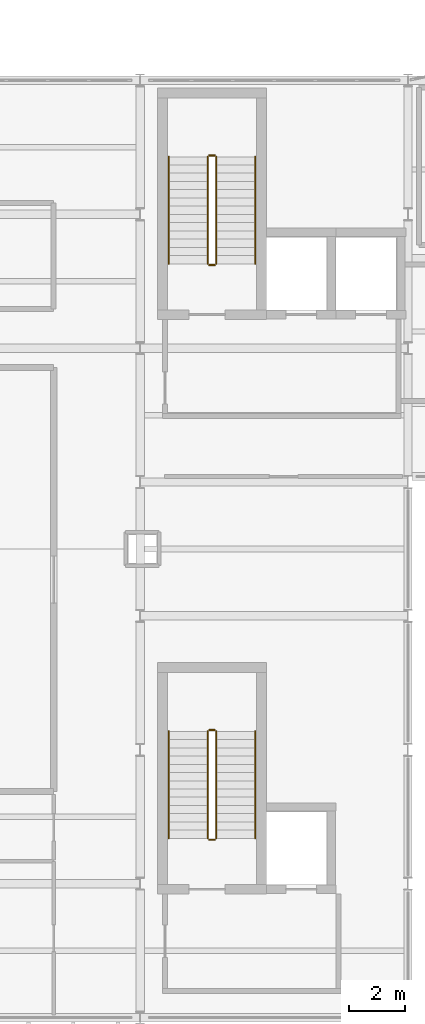
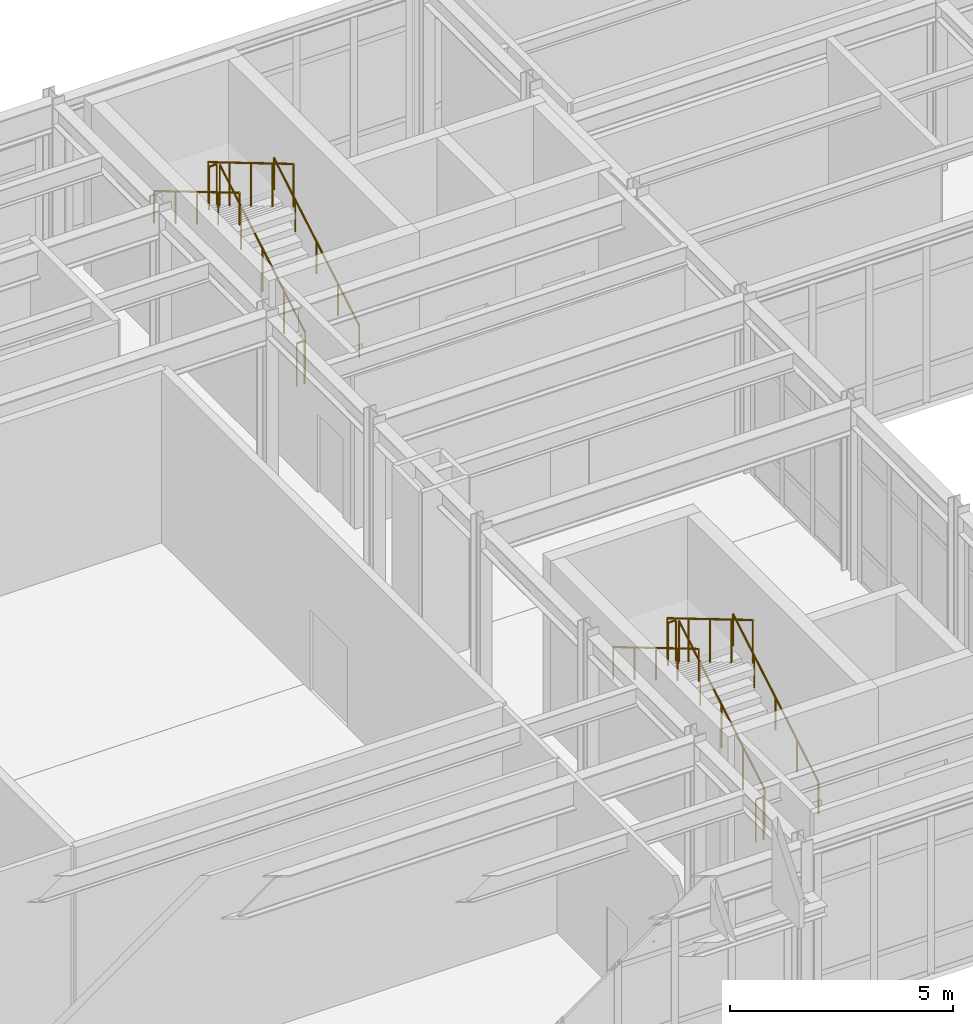
# One storey, part 27 of 28: 12 railings.
"""IFC4 building model written with IfcOpenShell, lengths in metres."""

from ifc_helpers import new_model, si_unit, direction, frame, origin, origin_2d, place, context, subcontext, project, spatial, circle, extrude, material, layer, layer_set, type_object, element, save


model = new_model("IFC4")

# Units and contexts
model_context = context("Model", 3, precision=1e-05, world=origin(), true_north=direction((0.0, 1.0)))
body_context = subcontext(model_context, "Body", "Model", "MODEL_VIEW")
ifc_project = project(units=[si_unit("LENGTHUNIT", "METRE"), si_unit("AREAUNIT", "SQUARE_METRE"), si_unit("VOLUMEUNIT", "CUBIC_METRE"), si_unit("PLANEANGLEUNIT", "RADIAN"), si_unit("MASSUNIT", "GRAM", prefix="KILO")], contexts=[model_context])

# Site, building, storey
site_placement = place(None, origin())
site = spatial("IfcSite", under=ifc_project, at=site_placement, CompositionType="ELEMENT")
building_placement = place(site_placement, origin())
building = spatial("IfcBuilding", under=site, at=building_placement, Name="Nordkorset Police Headquarters", CompositionType="ELEMENT")
storey_placement = place(building_placement, frame((0.0, 0.0, 26.25)))
storey = spatial("IfcBuildingStorey", under=building, at=storey_placement, Name="L06", CompositionType="ELEMENT", Elevation=26.25)

# Railings
ifc_material_1 = material(Name="Steel S355J2", Category="steel")
ifc_layer_1 = layer(ifc_material_1, 0.048095703125, Name="Steel S355J2")
ifc_layer_set_1 = layer_set([ifc_layer_1], Name="Steel S355J2")
railing_type_1 = type_object("IfcRailingType", Name="Railing_Handrail_900", PredefinedType="HANDRAIL", material=ifc_layer_set_1)
railing_1_placement = place(storey_placement, frame((23.324951171875, 110.22509765625, 0.175048828125)))
element("IfcRailing", 1, at=railing_1_placement, inside=storey, type_object=railing_type_1, Name="L06 ST-01 stair handrail 1", PredefinedType="HANDRAIL", context=body_context, shape_type="SweptSolid", body=[
    extrude(circle(Radius=0.02392578125, at=origin_2d()), frame((0.0, 0.0, 0.8759765625), z_axis=(0.0, 0.860061983675, 0.510189557161), x_axis=(-1.0, 0.0, 0.0)), (0.0, 0.0, 1.0), 4.458984375),
    extrude(circle(Radius=0.02099609375, at=origin_2d()), origin(), (0.0, 0.0, 1.0), 0.851806640625),
    extrude(circle(Radius=0.02099609375, at=origin_2d()), frame((0.0, 0.958740234375, 0.56884765625)), (0.0, 0.0, 1.0), 0.851806640625),
    extrude(circle(Radius=0.02099609375, at=origin_2d()), frame((0.0, 1.91748046875, 1.137451171875)), (0.0, 0.0, 1.0), 0.851806640625),
    extrude(circle(Radius=0.02099609375, at=origin_2d()), frame((0.0, 2.876220703125, 1.7060546875)), (0.0, 0.0, 1.0), 0.851806640625),
    extrude(circle(Radius=0.02099609375, at=origin_2d()), frame((0.0, 3.8349609375, 2.27490234375)), (0.0, 0.0, 1.0), 0.851806640625),
])
railing_2_placement = place(storey_placement, frame((20.22509765625, 114.06005859375, 2.625)))
element("IfcRailing", 2, at=railing_2_placement, inside=storey, type_object=railing_type_1, Name="L06 ST-01 stair handrail 2", PredefinedType="HANDRAIL", context=body_context, shape_type="SweptSolid", body=[
    extrude(circle(Radius=0.02392578125, at=origin_2d()), frame((0.0, 0.0, 0.8759765625), z_axis=(0.0, -0.860061983675, 0.510189557161), x_axis=(1.0, 0.0, 0.0)), (0.0, 0.0, 1.0), 4.458984375),
    extrude(circle(Radius=0.02099609375, at=origin_2d()), origin(), (0.0, 0.0, 1.0), 0.851806640625),
    extrude(circle(Radius=0.02099609375, at=origin_2d()), frame((0.0, -0.958740234375, 0.56884765625)), (0.0, 0.0, 1.0), 0.851806640625),
    extrude(circle(Radius=0.02099609375, at=origin_2d()), frame((0.0, -1.91748046875, 1.137451171875)), (0.0, 0.0, 1.0), 0.851806640625),
    extrude(circle(Radius=0.02099609375, at=origin_2d()), frame((0.0, -2.876220703125, 1.7060546875)), (0.0, 0.0, 1.0), 0.851806640625),
    extrude(circle(Radius=0.02099609375, at=origin_2d()), frame((0.0, -3.8349609375, 2.27490234375)), (0.0, 0.0, 1.0), 0.851806640625),
])
railing_3_placement = place(storey_placement, frame((23.324951171875, 89.625, 0.175048828125)))
element("IfcRailing", 3, at=railing_3_placement, inside=storey, type_object=railing_type_1, Name="L06 ST-03 stair handrail 1", PredefinedType="HANDRAIL", context=body_context, shape_type="SweptSolid", body=[
    extrude(circle(Radius=0.02392578125, at=origin_2d()), frame((0.0, 0.0, 0.8759765625), z_axis=(0.0, 0.860061983675, 0.510189557161), x_axis=(-1.0, 0.0, 0.0)), (0.0, 0.0, 1.0), 4.458984375),
    extrude(circle(Radius=0.02099609375, at=origin_2d()), origin(), (0.0, 0.0, 1.0), 0.851806640625),
    extrude(circle(Radius=0.02099609375, at=origin_2d()), frame((0.0, 0.958740234375, 0.56884765625)), (0.0, 0.0, 1.0), 0.851806640625),
    extrude(circle(Radius=0.02099609375, at=origin_2d()), frame((0.0, 1.91748046875, 1.137451171875)), (0.0, 0.0, 1.0), 0.851806640625),
    extrude(circle(Radius=0.02099609375, at=origin_2d()), frame((0.0, 2.876220703125, 1.7060546875)), (0.0, 0.0, 1.0), 0.851806640625),
    extrude(circle(Radius=0.02099609375, at=origin_2d()), frame((0.0, 3.8349609375, 2.27490234375)), (0.0, 0.0, 1.0), 0.851806640625),
])
railing_4_placement = place(storey_placement, frame((20.22509765625, 93.4599609375, 2.625)))
element("IfcRailing", 4, at=railing_4_placement, inside=storey, type_object=railing_type_1, Name="L06 ST-03 stair handrail 2", PredefinedType="HANDRAIL", context=body_context, shape_type="SweptSolid", body=[
    extrude(circle(Radius=0.02392578125, at=origin_2d()), frame((0.0, 0.0, 0.8759765625), z_axis=(0.0, -0.860061983675, 0.510189557161), x_axis=(1.0, 0.0, 0.0)), (0.0, 0.0, 1.0), 4.458984375),
    extrude(circle(Radius=0.02099609375, at=origin_2d()), origin(), (0.0, 0.0, 1.0), 0.851806640625),
    extrude(circle(Radius=0.02099609375, at=origin_2d()), frame((0.0, -0.958740234375, 0.56884765625)), (0.0, 0.0, 1.0), 0.851806640625),
    extrude(circle(Radius=0.02099609375, at=origin_2d()), frame((0.0, -1.91748046875, 1.137451171875)), (0.0, 0.0, 1.0), 0.851806640625),
    extrude(circle(Radius=0.02099609375, at=origin_2d()), frame((0.0, -2.876220703125, 1.7060546875)), (0.0, 0.0, 1.0), 0.851806640625),
    extrude(circle(Radius=0.02099609375, at=origin_2d()), frame((0.0, -3.8349609375, 2.27490234375)), (0.0, 0.0, 1.0), 0.851806640625),
])
ifc_material_2 = material(Name="Steel S355J2", Category="steel")
ifc_layer_2 = layer(ifc_material_2, 0.050048828125, Name="Steel S355J2")
ifc_layer_set_2 = layer_set([ifc_layer_2], Name="Steel S355J2")
railing_type_2 = type_object("IfcRailingType", Name="Railing_StairGuard_1200", PredefinedType="GUARDRAIL", material=ifc_layer_set_2)
railing_5_placement = place(storey_placement, frame((21.925048828125, 110.22509765625, 0.175048828125)))
element("IfcRailing", 5, at=railing_5_placement, inside=storey, type_object=railing_type_2, Name="L06 ST-01 stair guard 1", PredefinedType="GUARDRAIL", context=body_context, shape_type="SweptSolid", body=[
    extrude(circle(Radius=0.02392578125, at=origin_2d()), frame((0.0, 0.0, 1.17578125), z_axis=(0.0, 0.860061983675, 0.510189557161), x_axis=(-1.0, 0.0, 0.0)), (0.0, 0.0, 1.0), 4.458984375),
    extrude(circle(Radius=0.02099609375, at=origin_2d()), origin(), (0.0, 0.0, 1.0), 1.15185546875),
    extrude(circle(Radius=0.02099609375, at=origin_2d()), frame((0.0, 0.958740234375, 0.56884765625)), (0.0, 0.0, 1.0), 1.15185546875),
    extrude(circle(Radius=0.02099609375, at=origin_2d()), frame((0.0, 1.91748046875, 1.137451171875)), (0.0, 0.0, 1.0), 1.15185546875),
    extrude(circle(Radius=0.02099609375, at=origin_2d()), frame((0.0, 2.876220703125, 1.7060546875)), (0.0, 0.0, 1.0), 1.15185546875),
    extrude(circle(Radius=0.02099609375, at=origin_2d()), frame((0.0, 3.8349609375, 2.27490234375)), (0.0, 0.0, 1.0), 1.15185546875),
])
railing_6_placement = place(storey_placement, frame((21.875, 114.110107421875, 2.449951171875)))
element("IfcRailing", 6, at=railing_6_placement, inside=storey, type_object=railing_type_2, Name="L06 ST-01 stair guard 2", PredefinedType="GUARDRAIL", context=body_context, shape_type="SweptSolid", body=[
    extrude(circle(Radius=0.02392578125, at=origin_2d()), frame((0.0, 0.0, 1.17578125), z_axis=(-1.0, 0.0, 0.0), x_axis=(0.0, -1.0, 0.0)), (0.0, 0.0, 1.0), 0.199951171875),
    extrude(circle(Radius=0.02099609375, at=origin_2d()), origin(), (0.0, 0.0, 1.0), 1.15185546875),
    extrude(circle(Radius=0.02099609375, at=origin_2d()), frame((-0.199951171875, 0.0, 0.0)), (0.0, 0.0, 1.0), 1.15185546875),
])
railing_7_placement = place(storey_placement, frame((21.625, 114.06005859375, 2.625)))
element("IfcRailing", 7, at=railing_7_placement, inside=storey, type_object=railing_type_2, Name="L06 ST-01 stair guard 3", PredefinedType="GUARDRAIL", context=body_context, shape_type="SweptSolid", body=[
    extrude(circle(Radius=0.02392578125, at=origin_2d()), frame((0.0, 0.0, 1.17578125), z_axis=(0.0, -0.860061983675, 0.510189557161), x_axis=(1.0, 0.0, 0.0)), (0.0, 0.0, 1.0), 4.458984375),
    extrude(circle(Radius=0.02099609375, at=origin_2d()), origin(), (0.0, 0.0, 1.0), 1.15185546875),
    extrude(circle(Radius=0.02099609375, at=origin_2d()), frame((0.0, -0.958740234375, 0.56884765625)), (0.0, 0.0, 1.0), 1.15185546875),
    extrude(circle(Radius=0.02099609375, at=origin_2d()), frame((0.0, -1.91748046875, 1.137451171875)), (0.0, 0.0, 1.0), 1.15185546875),
    extrude(circle(Radius=0.02099609375, at=origin_2d()), frame((0.0, -2.876220703125, 1.7060546875)), (0.0, 0.0, 1.0), 1.15185546875),
    extrude(circle(Radius=0.02099609375, at=origin_2d()), frame((0.0, -3.8349609375, 2.27490234375)), (0.0, 0.0, 1.0), 1.15185546875),
])
railing_8_placement = place(storey_placement, frame((21.875, 110.175048828125, 0.0)))
element("IfcRailing", 8, at=railing_8_placement, inside=storey, type_object=railing_type_2, Name="L06 ST-01 stair guard 4", PredefinedType="GUARDRAIL", context=body_context, shape_type="SweptSolid", body=[
    extrude(circle(Radius=0.02392578125, at=origin_2d()), frame((0.0, 0.0, 1.17578125), z_axis=(-1.0, 0.0, 0.0), x_axis=(0.0, -1.0, 0.0)), (0.0, 0.0, 1.0), 0.199951171875),
    extrude(circle(Radius=0.02099609375, at=origin_2d()), origin(), (0.0, 0.0, 1.0), 1.15185546875),
    extrude(circle(Radius=0.02099609375, at=origin_2d()), frame((-0.199951171875, 0.0, 0.0)), (0.0, 0.0, 1.0), 1.15185546875),
])
railing_9_placement = place(storey_placement, frame((21.925048828125, 89.625, 0.175048828125)))
element("IfcRailing", 9, at=railing_9_placement, inside=storey, type_object=railing_type_2, Name="L06 ST-03 stair guard 1", PredefinedType="GUARDRAIL", context=body_context, shape_type="SweptSolid", body=[
    extrude(circle(Radius=0.02392578125, at=origin_2d()), frame((0.0, 0.0, 1.17578125), z_axis=(0.0, 0.860061983675, 0.510189557161), x_axis=(-1.0, 0.0, 0.0)), (0.0, 0.0, 1.0), 4.458984375),
    extrude(circle(Radius=0.02099609375, at=origin_2d()), origin(), (0.0, 0.0, 1.0), 1.15185546875),
    extrude(circle(Radius=0.02099609375, at=origin_2d()), frame((0.0, 0.958740234375, 0.56884765625)), (0.0, 0.0, 1.0), 1.15185546875),
    extrude(circle(Radius=0.02099609375, at=origin_2d()), frame((0.0, 1.91748046875, 1.137451171875)), (0.0, 0.0, 1.0), 1.15185546875),
    extrude(circle(Radius=0.02099609375, at=origin_2d()), frame((0.0, 2.876220703125, 1.7060546875)), (0.0, 0.0, 1.0), 1.15185546875),
    extrude(circle(Radius=0.02099609375, at=origin_2d()), frame((0.0, 3.8349609375, 2.27490234375)), (0.0, 0.0, 1.0), 1.15185546875),
])
railing_10_placement = place(storey_placement, frame((21.875, 93.510009765625, 2.449951171875)))
element("IfcRailing", 10, at=railing_10_placement, inside=storey, type_object=railing_type_2, Name="L06 ST-03 stair guard 2", PredefinedType="GUARDRAIL", context=body_context, shape_type="SweptSolid", body=[
    extrude(circle(Radius=0.02392578125, at=origin_2d()), frame((0.0, 0.0, 1.17578125), z_axis=(-1.0, 0.0, 0.0), x_axis=(0.0, -1.0, 0.0)), (0.0, 0.0, 1.0), 0.199951171875),
    extrude(circle(Radius=0.02099609375, at=origin_2d()), origin(), (0.0, 0.0, 1.0), 1.15185546875),
    extrude(circle(Radius=0.02099609375, at=origin_2d()), frame((-0.199951171875, 0.0, 0.0)), (0.0, 0.0, 1.0), 1.15185546875),
])
railing_11_placement = place(storey_placement, frame((21.625, 93.4599609375, 2.625)))
element("IfcRailing", 11, at=railing_11_placement, inside=storey, type_object=railing_type_2, Name="L06 ST-03 stair guard 3", PredefinedType="GUARDRAIL", context=body_context, shape_type="SweptSolid", body=[
    extrude(circle(Radius=0.02392578125, at=origin_2d()), frame((0.0, 0.0, 1.17578125), z_axis=(0.0, -0.860061983675, 0.510189557161), x_axis=(1.0, 0.0, 0.0)), (0.0, 0.0, 1.0), 4.458984375),
    extrude(circle(Radius=0.02099609375, at=origin_2d()), origin(), (0.0, 0.0, 1.0), 1.15185546875),
    extrude(circle(Radius=0.02099609375, at=origin_2d()), frame((0.0, -0.958740234375, 0.56884765625)), (0.0, 0.0, 1.0), 1.15185546875),
    extrude(circle(Radius=0.02099609375, at=origin_2d()), frame((0.0, -1.91748046875, 1.137451171875)), (0.0, 0.0, 1.0), 1.15185546875),
    extrude(circle(Radius=0.02099609375, at=origin_2d()), frame((0.0, -2.876220703125, 1.7060546875)), (0.0, 0.0, 1.0), 1.15185546875),
    extrude(circle(Radius=0.02099609375, at=origin_2d()), frame((0.0, -3.8349609375, 2.27490234375)), (0.0, 0.0, 1.0), 1.15185546875),
])
railing_12_placement = place(storey_placement, frame((21.875, 89.574951171875, 0.0)))
element("IfcRailing", 12, at=railing_12_placement, inside=storey, type_object=railing_type_2, Name="L06 ST-03 stair guard 4", PredefinedType="GUARDRAIL", context=body_context, shape_type="SweptSolid", body=[
    extrude(circle(Radius=0.02392578125, at=origin_2d()), frame((0.0, 0.0, 1.17578125), z_axis=(-1.0, 0.0, 0.0), x_axis=(0.0, -1.0, 0.0)), (0.0, 0.0, 1.0), 0.199951171875),
    extrude(circle(Radius=0.02099609375, at=origin_2d()), origin(), (0.0, 0.0, 1.0), 1.15185546875),
    extrude(circle(Radius=0.02099609375, at=origin_2d()), frame((-0.199951171875, 0.0, 0.0)), (0.0, 0.0, 1.0), 1.15185546875),
])

save(model, "model.ifc")
